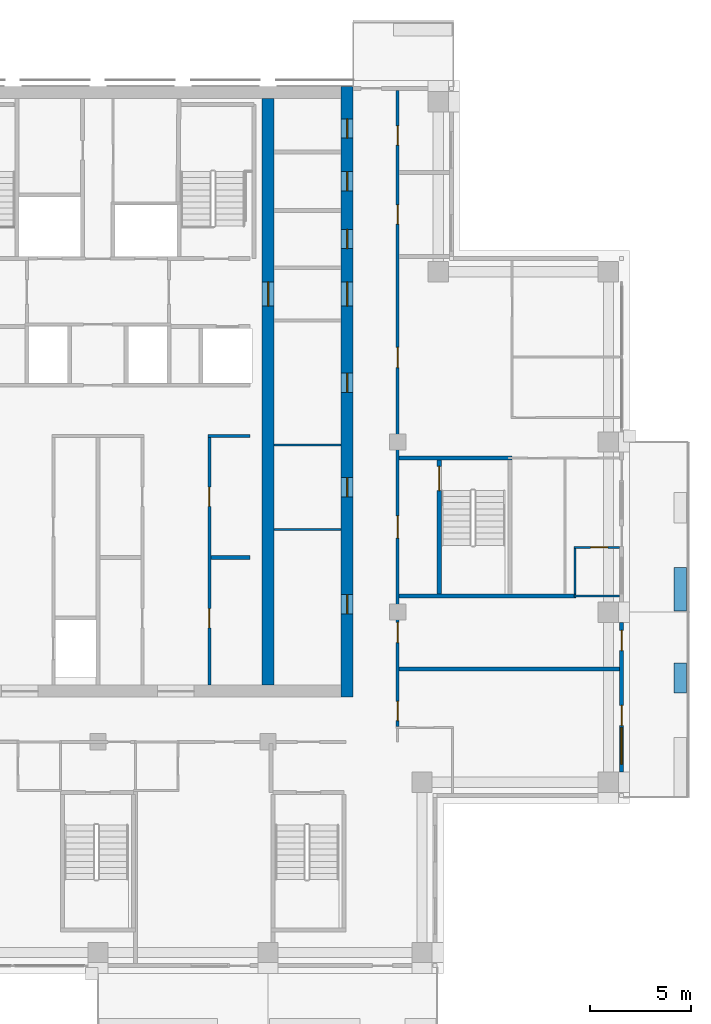
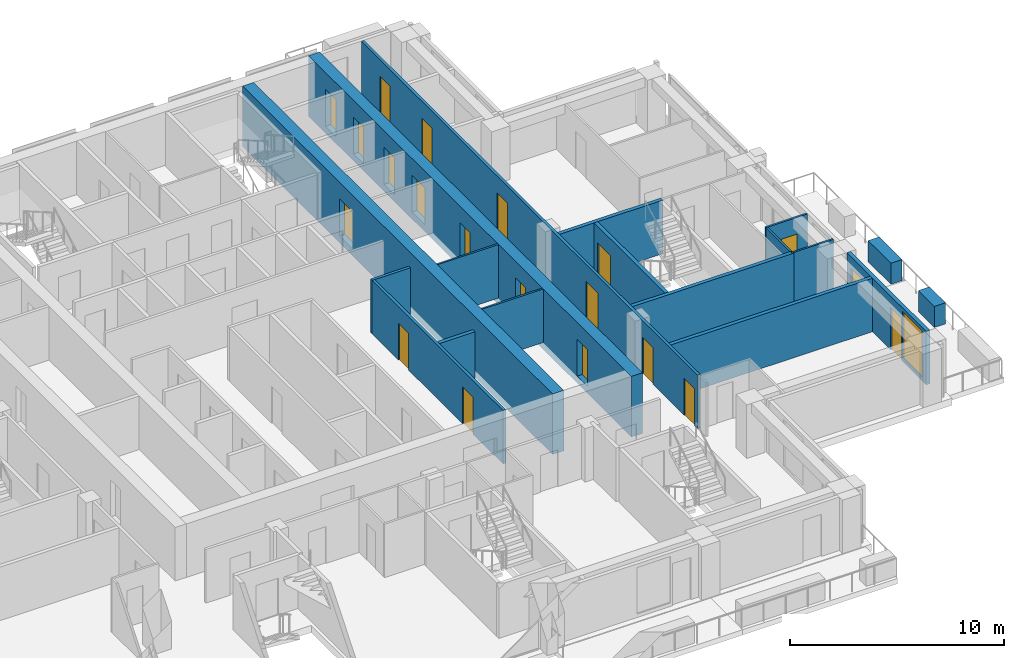
# One storey, part 11 of 17: 20 doors, 18 walls, 1 window, 21 openings.
"""IFC4 building model written with IfcOpenShell, lengths in metres."""

import ifcopenshell
import ifcopenshell.guid

model = None  # the IFC model being written
_history = None  # IfcOwnerHistory: only IFC2X3 demands one
_inside = {}  # id of a spatial element -> (the spatial element, [elements in it])
_under = {}  # id of a project, library or spatial element -> (it, [spatial elements below it])
_declared = {}  # id of a project -> (the project, [libraries it declares])
_typed = {}  # id of a type object -> (the type object, [elements of that type])
_made_of = {}  # id of a material, layer set ... -> (it, [elements and type objects made of it])


def new_model(schema):
    """Start an empty IFC model of exactly this schema.

    Asked for "IFC4X3", IfcOpenShell would pick the latest addendum, in which some entities
    have other attributes; the version numbers below select the first issue.
    IFC2X3 requires an IfcOwnerHistory on every rooted entity: one is made here for all.
    """
    global model, _history
    if schema == "IFC4X3":
        model = ifcopenshell.file(schema_version=(4, 3, 0, 0))
    else:
        model = ifcopenshell.file(schema=schema)
    _inside.clear()
    _under.clear()
    _declared.clear()
    _typed.clear()
    _made_of.clear()
    _history = None
    if model.schema == "IFC2X3":
        org = make("IfcOrganization", Name="unknown")
        user = make(
            "IfcPersonAndOrganization",
            ThePerson=make("IfcPerson", FamilyName="unknown"),
            TheOrganization=org,
        )
        app = make(
            "IfcApplication",
            ApplicationDeveloper=org,
            Version="unknown",
            ApplicationFullName="unknown",
            ApplicationIdentifier="unknown",
        )
        _history = make(
            "IfcOwnerHistory",
            OwningUser=user,
            OwningApplication=app,
            ChangeAction="ADDED",
            CreationDate=0,
        )
    return model


def make(cls, **values):
    """One entity of the class cls with the attributes given. An attribute that is None is left unset."""
    return model.create_entity(
        cls, **{name: value for name, value in values.items() if value is not None}
    )


def rooted(cls, **values):
    """An entity with a GlobalId (a new one), such as an element, a storey or a relation."""
    return make(cls, GlobalId=ifcopenshell.guid.new(), OwnerHistory=_history, **values)


def si_unit(unit_type, name, prefix=None):
    """IfcSIUnit, for example si_unit("LENGTHUNIT", "METRE", prefix="MILLI")."""
    return make("IfcSIUnit", UnitType=unit_type, Prefix=prefix, Name=name)


def assignment(units):
    """IfcUnitAssignment: the units of a project."""
    return None if units is None else make("IfcUnitAssignment", Units=units)


def point(xyz):
    """IfcCartesianPoint."""
    return None if xyz is None else make("IfcCartesianPoint", Coordinates=xyz)


def direction(xyz):
    """IfcDirection."""
    return None if xyz is None else make("IfcDirection", DirectionRatios=xyz)


def frame(location, z_axis=None, x_axis=None):
    """IfcAxis2Placement3D, a coordinate frame: its origin and axes. An axis left out is left unset."""
    return make(
        "IfcAxis2Placement3D",
        Location=point(location),
        Axis=direction(z_axis),
        RefDirection=direction(x_axis),
    )


def frame_2d(location, x_axis=None):
    """IfcAxis2Placement2D, a coordinate frame in the plane: its origin and x axis."""
    return make(
        "IfcAxis2Placement2D", Location=point(location), RefDirection=direction(x_axis)
    )


def origin():
    """The frame at (0, 0, 0) with its axes left unset."""
    return frame((0.0, 0.0, 0.0))


def place(relative_to, where):
    """IfcLocalPlacement: puts the frame where relative to a parent placement (None: the world)."""
    return make(
        "IfcLocalPlacement", PlacementRelTo=relative_to, RelativePlacement=where
    )


def context(
    kind, dimensions, precision=None, world=None, true_north=None, identifier=None
):
    """IfcGeometricRepresentationContext, for example the 3D "Model" context."""
    return make(
        "IfcGeometricRepresentationContext",
        ContextIdentifier=identifier,
        ContextType=kind,
        CoordinateSpaceDimension=dimensions,
        Precision=precision,
        WorldCoordinateSystem=world,
        TrueNorth=true_north,
    )


def subcontext(parent, identifier, kind, view, scale=None):
    """IfcGeometricRepresentationSubContext, for example "Body" below "Model"."""
    return make(
        "IfcGeometricRepresentationSubContext",
        ContextIdentifier=identifier,
        ContextType=kind,
        ParentContext=parent,
        TargetScale=scale,
        TargetView=view,
    )


def project(units=None, contexts=None):
    """IfcProject with its units and contexts."""
    return rooted(
        "IfcProject",
        Name="project",
        RepresentationContexts=contexts,
        UnitsInContext=assignment(units),
    )


def spatial(cls, under=None, at=None, **own):
    """A site, building, storey or space (cls), placed at a placement, below another one or the project."""
    s = rooted(cls, ObjectPlacement=at, **own)
    if under is not None:
        _under.setdefault(under.id(), (under, []))[1].append(s)
    return s


def profile(cls, at=None, kind="AREA", **sizes):
    """A parametric profile (cls). Its sizes go by their IFC names, for example OverallWidth=200.0."""
    return make(cls, ProfileType=kind, Position=at, **sizes)


def rectangle(**sizes):
    """IfcRectangleProfileDef."""
    return profile("IfcRectangleProfileDef", **sizes)


def extrude(swept, where, along, depth):
    """IfcExtrudedAreaSolid: the profile swept, set in the frame where, extruded along a direction by depth."""
    return make(
        "IfcExtrudedAreaSolid",
        SweptArea=swept,
        Position=where,
        ExtrudedDirection=direction(along),
        Depth=depth,
    )


def shape(context_of_items, identifier, shape_type, items):
    """IfcShapeRepresentation: the items that make up one representation, for example the "Body"."""
    return make(
        "IfcShapeRepresentation",
        ContextOfItems=context_of_items,
        RepresentationIdentifier=identifier,
        RepresentationType=shape_type,
        Items=items,
    )


def material(Name=None, Category=None):
    """IfcMaterial."""
    return make("IfcMaterial", Name=Name, Category=Category)


def layer(
    of_material, thickness, ventilated=None, Name=None, Category=None, Priority=None
):
    """IfcMaterialLayer: one layer of a wall or slab, of a material (None: an air gap)."""
    return make(
        "IfcMaterialLayer",
        Material=of_material,
        LayerThickness=thickness,
        IsVentilated=ventilated,
        Name=Name,
        Category=Category,
        Priority=Priority,
    )


def layer_set(layers, Name=None):
    """IfcMaterialLayerSet."""
    return make("IfcMaterialLayerSet", MaterialLayers=layers, LayerSetName=Name)


def made_of(thing, what):
    """Note that an element or type object is made of a material, layer set ...; save() writes the relation."""
    if what is not None:
        _made_of.setdefault(what.id(), (what, []))[1].append(thing)
    return thing


def type_object(cls, material=None, **own):
    """A type object (cls), such as IfcWallType, which elements share."""
    return made_of(rooted(cls, **own), material)


def element(
    cls,
    number,
    at=None,
    inside=None,
    cuts=None,
    type_object=None,
    material=None,
    context=None,
    identifier="Body",
    shape_type=None,
    held_by="IfcProductDefinitionShape",
    body=None,
    shapes=None,
    **own,
):
    """One element of the class cls, such as IfcWall. Its Tag is "e" and its number.

    at: its placement. inside: the storey or other place that contains it. cuts: it is an
    opening in that element (IfcRelVoidsElement). A single representation is given by context,
    identifier, shape_type and body (its items); several are given by shapes. held_by: the class
    of the entity that holds the representations. save() writes the other relations.
    """
    e = rooted(cls, Tag="e%d" % number, ObjectPlacement=at, **own)
    if body is not None:
        shapes = [shape(context, identifier, shape_type, body)]
    if shapes is not None:
        e.Representation = make(held_by, Representations=shapes)
    if inside is not None:
        _inside.setdefault(inside.id(), (inside, []))[1].append(e)
    if cuts is not None:
        rooted(
            "IfcRelVoidsElement", RelatingBuildingElement=cuts, RelatedOpeningElement=e
        )
    if type_object is not None:
        _typed.setdefault(type_object.id(), (type_object, []))[1].append(e)
    return made_of(e, material)


def fill(opening, filler):
    """IfcRelFillsElement: the door or window that sits in an opening."""
    return rooted(
        "IfcRelFillsElement",
        RelatingOpeningElement=opening,
        RelatedBuildingElement=filler,
    )


def aggregate(whole, parts):
    """IfcRelAggregates: a whole, such as a stair, and the parts it consists of."""
    return rooted("IfcRelAggregates", RelatingObject=whole, RelatedObjects=parts)


def save(model, path):
    """Write the relations noted so far, then the file.

    IfcRelAggregates (storeys below a building ...), IfcRelContainedInSpatialStructure (elements
    in a storey), IfcRelDefinesByType, IfcRelAssociatesMaterial and IfcRelDeclares: one each for
    every whole, place, type object, material and project.
    """
    for whole, parts in _under.values():
        aggregate(whole, parts)
    for where, things in _inside.values():
        rooted(
            "IfcRelContainedInSpatialStructure",
            RelatedElements=things,
            RelatingStructure=where,
        )
    for kind, things in _typed.values():
        rooted("IfcRelDefinesByType", RelatedObjects=things, RelatingType=kind)
    for what, things in _made_of.values():
        rooted("IfcRelAssociatesMaterial", RelatedObjects=things, RelatingMaterial=what)
    for by, libraries in _declared.values():
        rooted("IfcRelDeclares", RelatingContext=by, RelatedDefinitions=libraries)
    model.write(path)


model = new_model("IFC4")

# Units and contexts
model_context = context("Model", 3, precision=1e-05, world=origin(), true_north=direction((0.0, 1.0)))
body_context = subcontext(model_context, "Body", "Model", "MODEL_VIEW")
ifc_project = project(units=[si_unit("LENGTHUNIT", "METRE"), si_unit("AREAUNIT", "SQUARE_METRE"), si_unit("VOLUMEUNIT", "CUBIC_METRE"), si_unit("PLANEANGLEUNIT", "RADIAN"), si_unit("MASSUNIT", "GRAM", prefix="KILO")], contexts=[model_context])

# Site, building, storey
site_placement = place(None, origin())
site = spatial("IfcSite", under=ifc_project, at=site_placement, CompositionType="ELEMENT")
building_placement = place(site_placement, origin())
building = spatial("IfcBuilding", under=site, at=building_placement, Name="Vermilion Ogive Tower", CompositionType="ELEMENT")
storey_placement = place(building_placement, frame((0.0, 0.0, 203.14990234375)))
storey = spatial("IfcBuildingStorey", under=building, at=storey_placement, Name="L53", CompositionType="ELEMENT", Elevation=203.14990234375)

# Wall, openings, doors
ifc_material_1 = material(Name="Concrete B60", Category="concrete")
ifc_layer_1 = layer(ifc_material_1, 0.60009765625)
ifc_layer_set_1 = layer_set([ifc_layer_1], Name="Core wall 600 B60")
wall_type_1 = type_object("IfcWallType", Name="Core wall 600 B60", PredefinedType="SHEAR", material=ifc_layer_set_1)
wall_1_placement = place(storey_placement, frame((12.300048828125, -8.39990234375, -0.39990234375), z_axis=(0.0, 0.0, 1.0), x_axis=(0.0, 1.0, 0.0)))
wall_1 = element("IfcWall", 1, at=wall_1_placement, inside=storey, type_object=wall_type_1, Name="L53-CORE-E", PredefinedType="SHEAR", context=body_context, shape_type="SweptSolid", body=[
    extrude(rectangle(XDim=30.14990234375, YDim=0.60009765625, at=frame_2d((15.074951171875, 0.0))), origin(), (0.0, 0.0, 1.0), 3.449951171875),
])
opening_1_placement = place(wall_1_placement, frame((4.112548828125, 0.0, 0.39990234375)))
opening_1 = element("IfcOpeningElement", 2, at=opening_1_placement, cuts=wall_1, Name="Opening DAC083", PredefinedType="OPENING", context=body_context, shape_type="SweptSolid", body=[
    extrude(rectangle(XDim=0.949951171875, YDim=2.10009765625, at=frame_2d((0.47509765625, 1.050048828125))), frame((0.0, 0.31005859375, 0.0), z_axis=(0.0, -1.0, 0.0), x_axis=(1.0, 0.0, 0.0)), (0.0, 0.0, 1.0), 0.6201171875),
])
opening_2_placement = place(wall_1_placement, frame((9.8896484375, 0.0, 0.39990234375)))
opening_2 = element("IfcOpeningElement", 3, at=opening_2_placement, cuts=wall_1, Name="Opening DAC084", PredefinedType="OPENING", context=body_context, shape_type="SweptSolid", body=[
    extrude(rectangle(XDim=0.949951171875, YDim=2.10009765625, at=frame_2d((0.47509765625, 1.050048828125))), frame((0.0, 0.31005859375, 0.0), z_axis=(0.0, -1.0, 0.0), x_axis=(1.0, 0.0, 0.0)), (0.0, 0.0, 1.0), 0.6201171875),
])
opening_3_placement = place(wall_1_placement, frame((15.052001953125, 0.0, 0.39990234375)))
opening_3 = element("IfcOpeningElement", 4, at=opening_3_placement, cuts=wall_1, Name="Opening DAC085", PredefinedType="OPENING", context=body_context, shape_type="SweptSolid", body=[
    extrude(rectangle(XDim=0.949951171875, YDim=2.10009765625, at=frame_2d((0.47509765625, 1.050048828125))), frame((0.0, 0.31005859375, 0.0), z_axis=(0.0, -1.0, 0.0), x_axis=(1.0, 0.0, 0.0)), (0.0, 0.0, 1.0), 0.6201171875),
])
opening_4_placement = place(wall_1_placement, frame((22.1435546875, 0.0, 0.39990234375)))
opening_4 = element("IfcOpeningElement", 5, at=opening_4_placement, cuts=wall_1, Name="Opening DAC086", PredefinedType="OPENING", context=body_context, shape_type="SweptSolid", body=[
    extrude(rectangle(XDim=0.949951171875, YDim=2.10009765625, at=frame_2d((0.47509765625, 1.050048828125))), frame((0.0, 0.31005859375, 0.0), z_axis=(0.0, -1.0, 0.0), x_axis=(1.0, 0.0, 0.0)), (0.0, 0.0, 1.0), 0.6201171875),
])
opening_5_placement = place(wall_1_placement, frame((24.998291015625, 0.0, 0.39990234375)))
opening_5 = element("IfcOpeningElement", 6, at=opening_5_placement, cuts=wall_1, Name="Opening DAC087", PredefinedType="OPENING", context=body_context, shape_type="SweptSolid", body=[
    extrude(rectangle(XDim=0.949951171875, YDim=2.10009765625, at=frame_2d((0.47509765625, 1.050048828125))), frame((0.0, 0.31005859375, 0.0), z_axis=(0.0, -1.0, 0.0), x_axis=(1.0, 0.0, 0.0)), (0.0, 0.0, 1.0), 0.6201171875),
])
opening_6_placement = place(wall_1_placement, frame((27.604736328125, 0.0, 0.39990234375)))
opening_6 = element("IfcOpeningElement", 7, at=opening_6_placement, cuts=wall_1, Name="Opening DAC088", PredefinedType="OPENING", context=body_context, shape_type="SweptSolid", body=[
    extrude(rectangle(XDim=0.949951171875, YDim=2.10009765625, at=frame_2d((0.47509765625, 1.050048828125))), frame((0.0, 0.31005859375, 0.0), z_axis=(0.0, -1.0, 0.0), x_axis=(1.0, 0.0, 0.0)), (0.0, 0.0, 1.0), 0.6201171875),
])
opening_7_placement = place(wall_1_placement, frame((19.300048828125, 0.0, 0.39990234375)))
opening_7 = element("IfcOpeningElement", 8, at=opening_7_placement, cuts=wall_1, Name="Opening DAL021", PredefinedType="OPENING", context=body_context, shape_type="SweptSolid", body=[
    extrude(rectangle(XDim=1.199951171875, YDim=2.10009765625, at=frame_2d((0.60009765625, 1.050048828125))), frame((0.0, 0.31005859375, 0.0), z_axis=(0.0, -1.0, 0.0), x_axis=(1.0, 0.0, 0.0)), (0.0, 0.0, 1.0), 0.6201171875),
])
ifc_material_2 = material(Name="Timber door leaf", Category="wood")
door_type_1 = type_object("IfcDoorType", Name="Link door 1200 x 2100 FD60S", OperationType="SINGLE_SWING_LEFT", PredefinedType="DOOR", material=ifc_material_2)
door_1_placement = place(opening_7_placement, origin())
door_1 = element("IfcDoor", 9, at=door_1_placement, inside=storey, type_object=door_type_1, Name="L53-CKE-XL", OperationType="SINGLE_SWING_LEFT", OverallHeight=2.10009765625, OverallWidth=1.199951171875, PredefinedType="DOOR", context=body_context, shape_type="SweptSolid", body=[
    extrude(rectangle(XDim=1.199951171875, YDim=2.10009765625, at=frame_2d((0.60009765625, 1.050048828125))), frame((0.0, 0.02490234375, 0.0), z_axis=(0.0, -1.0, 0.0), x_axis=(1.0, 0.0, 0.0)), (0.0, 0.0, 1.0), 0.050048828125),
])
fill(opening_7, door_1)
ifc_material_3 = material(Name="Timber door leaf", Category="wood")
door_type_2 = type_object("IfcDoorType", Name="Service door 950 x 2100 FD60", OperationType="SINGLE_SWING_LEFT", PredefinedType="DOOR", material=ifc_material_3)
door_2_placement = place(opening_1_placement, origin())
door_2 = element("IfcDoor", 10, at=door_2_placement, inside=storey, type_object=door_type_2, Name="L53-CKE-XR0", OperationType="SINGLE_SWING_LEFT", OverallHeight=2.10009765625, OverallWidth=0.949951171875, PredefinedType="DOOR", context=body_context, shape_type="SweptSolid", body=[
    extrude(rectangle(XDim=0.949951171875, YDim=2.10009765625, at=frame_2d((0.47509765625, 1.050048828125))), frame((0.0, 0.02490234375, 0.0), z_axis=(0.0, -1.0, 0.0), x_axis=(1.0, 0.0, 0.0)), (0.0, 0.0, 1.0), 0.050048828125),
])
fill(opening_1, door_2)
door_3_placement = place(opening_2_placement, origin())
door_3 = element("IfcDoor", 11, at=door_3_placement, inside=storey, type_object=door_type_2, Name="L53-CKE-XR1", OperationType="SINGLE_SWING_LEFT", OverallHeight=2.10009765625, OverallWidth=0.949951171875, PredefinedType="DOOR", context=body_context, shape_type="SweptSolid", body=[
    extrude(rectangle(XDim=0.949951171875, YDim=2.10009765625, at=frame_2d((0.47509765625, 1.050048828125))), frame((0.0, 0.02490234375, 0.0), z_axis=(0.0, -1.0, 0.0), x_axis=(1.0, 0.0, 0.0)), (0.0, 0.0, 1.0), 0.050048828125),
])
fill(opening_2, door_3)
door_4_placement = place(opening_3_placement, origin())
door_4 = element("IfcDoor", 12, at=door_4_placement, inside=storey, type_object=door_type_2, Name="L53-CKE-XR2", OperationType="SINGLE_SWING_LEFT", OverallHeight=2.10009765625, OverallWidth=0.949951171875, PredefinedType="DOOR", context=body_context, shape_type="SweptSolid", body=[
    extrude(rectangle(XDim=0.949951171875, YDim=2.10009765625, at=frame_2d((0.47509765625, 1.050048828125))), frame((0.0, 0.02490234375, 0.0), z_axis=(0.0, -1.0, 0.0), x_axis=(1.0, 0.0, 0.0)), (0.0, 0.0, 1.0), 0.050048828125),
])
fill(opening_3, door_4)
door_5_placement = place(opening_4_placement, origin())
door_5 = element("IfcDoor", 13, at=door_5_placement, inside=storey, type_object=door_type_2, Name="L53-CKE-XR3", OperationType="SINGLE_SWING_LEFT", OverallHeight=2.10009765625, OverallWidth=0.949951171875, PredefinedType="DOOR", context=body_context, shape_type="SweptSolid", body=[
    extrude(rectangle(XDim=0.949951171875, YDim=2.10009765625, at=frame_2d((0.47509765625, 1.050048828125))), frame((0.0, 0.02490234375, 0.0), z_axis=(0.0, -1.0, 0.0), x_axis=(1.0, 0.0, 0.0)), (0.0, 0.0, 1.0), 0.050048828125),
])
fill(opening_4, door_5)
door_6_placement = place(opening_5_placement, origin())
door_6 = element("IfcDoor", 14, at=door_6_placement, inside=storey, type_object=door_type_2, Name="L53-CKE-XR4", OperationType="SINGLE_SWING_LEFT", OverallHeight=2.10009765625, OverallWidth=0.949951171875, PredefinedType="DOOR", context=body_context, shape_type="SweptSolid", body=[
    extrude(rectangle(XDim=0.949951171875, YDim=2.10009765625, at=frame_2d((0.47509765625, 1.050048828125))), frame((0.0, 0.02490234375, 0.0), z_axis=(0.0, -1.0, 0.0), x_axis=(1.0, 0.0, 0.0)), (0.0, 0.0, 1.0), 0.050048828125),
])
fill(opening_5, door_6)
door_7_placement = place(opening_6_placement, origin())
door_7 = element("IfcDoor", 15, at=door_7_placement, inside=storey, type_object=door_type_2, Name="L53-CKE-XR5", OperationType="SINGLE_SWING_LEFT", OverallHeight=2.10009765625, OverallWidth=0.949951171875, PredefinedType="DOOR", context=body_context, shape_type="SweptSolid", body=[
    extrude(rectangle(XDim=0.949951171875, YDim=2.10009765625, at=frame_2d((0.47509765625, 1.050048828125))), frame((0.0, 0.02490234375, 0.0), z_axis=(0.0, -1.0, 0.0), x_axis=(1.0, 0.0, 0.0)), (0.0, 0.0, 1.0), 0.050048828125),
])
fill(opening_6, door_7)

# Wall, opening, door
wall_2_placement = place(storey_placement, frame((8.39990234375, -7.800048828125, -0.39990234375), z_axis=(0.0, 0.0, 1.0), x_axis=(0.0, 1.0, 0.0)))
wall_2 = element("IfcWall", 16, at=wall_2_placement, inside=storey, type_object=wall_type_1, Name="L53-CORE-WEB2", PredefinedType="SHEAR", context=body_context, shape_type="SweptSolid", body=[
    extrude(rectangle(XDim=28.949951171875, YDim=0.60009765625, at=frame_2d((14.47509765625, 0.0))), origin(), (0.0, 0.0, 1.0), 3.449951171875),
])
opening_8_placement = place(wall_2_placement, frame((18.699951171875, 0.0, 0.39990234375)))
opening_8 = element("IfcOpeningElement", 17, at=opening_8_placement, cuts=wall_2, Name="Opening DAO016", PredefinedType="OPENING", context=body_context, shape_type="SweptSolid", body=[
    extrude(rectangle(XDim=1.199951171875, YDim=2.10009765625, at=frame_2d((0.60009765625, 1.050048828125))), frame((0.0, 0.31005859375, 0.0), z_axis=(0.0, -1.0, 0.0), x_axis=(1.0, 0.0, 0.0)), (0.0, 0.0, 1.0), 0.6201171875),
])
door_8_placement = place(opening_8_placement, origin())
door_8 = element("IfcDoor", 18, at=door_8_placement, inside=storey, type_object=door_type_1, Name="L53-CKE-XW", OperationType="SINGLE_SWING_LEFT", OverallHeight=2.10009765625, OverallWidth=1.199951171875, PredefinedType="DOOR", context=body_context, shape_type="SweptSolid", body=[
    extrude(rectangle(XDim=1.199951171875, YDim=2.10009765625, at=frame_2d((0.60009765625, 1.050048828125))), frame((0.0, 0.02490234375, 0.0), z_axis=(0.0, -1.0, 0.0), x_axis=(1.0, 0.0, 0.0)), (0.0, 0.0, 1.0), 0.050048828125),
])
fill(opening_8, door_8)

# Wall
ifc_material_4 = material(Name="Gypsum board partition on steel studs", Category="steel")
ifc_layer_2 = layer(ifc_material_4, 0.10009765625)
ifc_layer_set_2 = layer_set([ifc_layer_2], Name="Partition 100 bath")
wall_type_2 = type_object("IfcWallType", Name="Partition 100 bath", PredefinedType="PARTITIONING", material=ifc_layer_set_2)
wall_3_placement = place(storey_placement, frame((23.5, -3.39990234375, 0.0), z_axis=(0.0, 0.0, 1.0), x_axis=(1.0, 0.0, 0.0)))
element("IfcWall", 19, at=wall_3_placement, inside=storey, type_object=wall_type_2, Name="L53-W-W020", PredefinedType="PARTITIONING", context=body_context, shape_type="SweptSolid", body=[
    extrude(rectangle(XDim=2.25, YDim=0.10009765625, at=frame_2d((1.125, 0.0))), origin(), (0.0, 0.0, 1.0), 3.050048828125),
])

# Wall, opening, door
wall_4_placement = place(storey_placement, frame((23.5, -1.0, 0.0), z_axis=(0.0, 0.0, 1.0), x_axis=(1.0, 0.0, 0.0)))
wall_4 = element("IfcWall", 20, at=wall_4_placement, inside=storey, type_object=wall_type_2, Name="L53-W-W022", PredefinedType="PARTITIONING", context=body_context, shape_type="SweptSolid", body=[
    extrude(rectangle(XDim=2.25, YDim=0.10009765625, at=frame_2d((1.125, 0.0))), origin(), (0.0, 0.0, 1.0), 3.050048828125),
])
opening_9_placement = place(wall_4_placement, frame((0.824951171875, 0.0, 0.0)))
opening_9 = element("IfcOpeningElement", 21, at=opening_9_placement, cuts=wall_4, Name="Opening D4G4022", PredefinedType="OPENING", context=body_context, shape_type="SweptSolid", body=[
    extrude(rectangle(XDim=0.85009765625, YDim=2.10009765625, at=frame_2d((0.425048828125, 1.050048828125))), frame((0.0, 0.06005859375, 0.0), z_axis=(0.0, -1.0, 0.0), x_axis=(1.0, 0.0, 0.0)), (0.0, 0.0, 1.0), 0.1201171875),
])
ifc_material_5 = material(Name="Timber door leaf", Category="wood")
door_type_3 = type_object("IfcDoorType", Name="Bath door 850 x 2100 FD30", OperationType="SINGLE_SWING_LEFT", PredefinedType="DOOR", material=ifc_material_5)
door_9_placement = place(opening_9_placement, origin())
door_9 = element("IfcDoor", 22, at=door_9_placement, inside=storey, type_object=door_type_3, Name="L53-D-D022", OperationType="SINGLE_SWING_RIGHT", OverallHeight=2.10009765625, OverallWidth=0.85009765625, PredefinedType="DOOR", context=body_context, shape_type="SweptSolid", body=[
    extrude(rectangle(XDim=0.85009765625, YDim=2.10009765625, at=frame_2d((0.425048828125, 1.050048828125))), frame((0.0, 0.02490234375, 0.0), z_axis=(0.0, -1.0, 0.0), x_axis=(1.0, 0.0, 0.0)), (0.0, 0.0, 1.0), 0.050048828125),
])
fill(opening_9, door_9)

# Walls
wall_5_placement = place(storey_placement, frame((23.550048828125, -3.300048828125, 0.0), z_axis=(0.0, 0.0, 1.0), x_axis=(0.0, 1.0, 0.0)))
element("IfcWall", 23, at=wall_5_placement, inside=storey, type_object=wall_type_2, Name="L53-W-W062", PredefinedType="PARTITIONING", context=body_context, shape_type="SweptSolid", body=[
    extrude(rectangle(XDim=2.25, YDim=0.10009765625, at=frame_2d((1.125, 0.0))), origin(), (0.0, 0.0, 1.0), 3.050048828125),
])
for number, where, z_axis, x_axis, name in (
    (24, (8.700927734375, -0.125, 0.0), (0.0, 0.0, 1.0), (1.0, 0.0, 0.0), "L53-CKE-W-W001"),
    (25, (8.700927734375, 4.053955078125, 0.0), (0.0, 0.0, 1.0), (1.0, 0.0, 0.0), "L53-CKE-W-W002"),
):
    element("IfcWall", number, at=place(storey_placement, frame(where, z_axis=z_axis, x_axis=x_axis)), inside=storey, type_object=wall_type_2, Name=name, PredefinedType="PARTITIONING", context=body_context, shape_type="SweptSolid", body=[
        extrude(rectangle(XDim=3.298095703125, YDim=0.10009765625, at=frame_2d((1.64892578125, 0.0))), origin(), (0.0, 0.0, 1.0), 3.050048828125),
    ])

# Wall, openings, doors
ifc_material_6 = material(Name="Gypsum board partition on steel studs", Category="steel")
ifc_layer_3 = layer(ifc_material_6, 0.14990234375)
ifc_layer_set_3 = layer_set([ifc_layer_3], Name="Partition 150 corridor")
wall_type_3 = type_object("IfcWallType", Name="Partition 150 corridor", PredefinedType="PARTITIONING", material=ifc_layer_set_3)
wall_6_placement = place(storey_placement, frame((14.800048828125, -9.85009765625, 0.0), z_axis=(0.0, 0.0, 1.0), x_axis=(0.0, 1.0, 0.0)))
wall_6 = element("IfcWall", 26, at=wall_6_placement, inside=storey, type_object=wall_type_3, Name="L53-W-W056", PredefinedType="PARTITIONING", context=body_context, shape_type="SweptSolid", body=[
    extrude(rectangle(XDim=31.400146484375, YDim=0.14990234375, at=frame_2d((15.7001953125, 0.0))), origin(), (0.0, 0.0, 1.0), 3.050048828125),
])
opening_10_placement = place(wall_6_placement, frame((0.300048828125, 0.0, 0.0)))
opening_10 = element("IfcOpeningElement", 27, at=opening_10_placement, cuts=wall_6, Name="Opening D4G4015", PredefinedType="OPENING", context=body_context, shape_type="SweptSolid", body=[
    extrude(rectangle(XDim=0.949951171875, YDim=2.10009765625, at=frame_2d((0.47509765625, 1.050048828125))), frame((0.0, 0.0849609375, 0.0), z_axis=(0.0, -1.0, 0.0), x_axis=(1.0, 0.0, 0.0)), (0.0, 0.0, 1.0), 0.169921875),
])
opening_11_placement = place(wall_6_placement, frame((17.72509765625, 0.0, 0.0)))
opening_11 = element("IfcOpeningElement", 28, at=opening_11_placement, cuts=wall_6, Name="Opening D4G4020", PredefinedType="OPENING", context=body_context, shape_type="SweptSolid", body=[
    extrude(rectangle(XDim=1.0, YDim=2.10009765625, at=frame_2d((0.5, 1.050048828125))), frame((0.0, 0.0849609375, 0.0), z_axis=(0.0, -1.0, 0.0), x_axis=(1.0, 0.0, 0.0)), (0.0, 0.0, 1.0), 0.169921875),
])
opening_12_placement = place(wall_6_placement, frame((24.800048828125, 0.0, 0.0)))
opening_12 = element("IfcOpeningElement", 29, at=opening_12_placement, cuts=wall_6, Name="Opening D4G4023", PredefinedType="OPENING", context=body_context, shape_type="SweptSolid", body=[
    extrude(rectangle(XDim=0.949951171875, YDim=2.10009765625, at=frame_2d((0.47509765625, 1.050048828125))), frame((0.0, 0.0849609375, 0.0), z_axis=(0.0, -1.0, 0.0), x_axis=(1.0, 0.0, 0.0)), (0.0, 0.0, 1.0), 0.169921875),
])
opening_13_placement = place(wall_6_placement, frame((28.7001953125, 0.0, 0.0)))
opening_13 = element("IfcOpeningElement", 30, at=opening_13_placement, cuts=wall_6, Name="Opening D4G4024", PredefinedType="OPENING", context=body_context, shape_type="SweptSolid", body=[
    extrude(rectangle(XDim=0.949951171875, YDim=2.10009765625, at=frame_2d((0.47509765625, 1.050048828125))), frame((0.0, 0.0849609375, 0.0), z_axis=(0.0, -1.0, 0.0), x_axis=(1.0, 0.0, 0.0)), (0.0, 0.0, 1.0), 0.169921875),
])
opening_14_placement = place(wall_6_placement, frame((9.300048828125, 0.0, 0.0)))
opening_14 = element("IfcOpeningElement", 31, at=opening_14_placement, cuts=wall_6, Name="Opening D4G4031", PredefinedType="OPENING", context=body_context, shape_type="SweptSolid", body=[
    extrude(rectangle(XDim=1.10009765625, YDim=2.10009765625, at=frame_2d((0.550048828125, 1.050048828125))), frame((0.0, 0.0849609375, 0.0), z_axis=(0.0, -1.0, 0.0), x_axis=(1.0, 0.0, 0.0)), (0.0, 0.0, 1.0), 0.169921875),
])
opening_15_placement = place(wall_6_placement, frame((4.150146484375, 0.0, 0.0)))
opening_15 = element("IfcOpeningElement", 32, at=opening_15_placement, cuts=wall_6, Name="Opening D4G4036", PredefinedType="OPENING", context=body_context, shape_type="SweptSolid", body=[
    extrude(rectangle(XDim=1.0, YDim=2.10009765625, at=frame_2d((0.5, 1.050048828125))), frame((0.0, 0.0849609375, 0.0), z_axis=(0.0, -1.0, 0.0), x_axis=(1.0, 0.0, 0.0)), (0.0, 0.0, 1.0), 0.169921875),
])
ifc_material_7 = material(Name="Timber door leaf", Category="wood")
door_type_4 = type_object("IfcDoorType", Name="Stair door 1100 x 2100 FD60S", OperationType="SINGLE_SWING_LEFT", PredefinedType="DOOR", material=ifc_material_7)
door_10_placement = place(opening_14_placement, origin())
door_10 = element("IfcDoor", 33, at=door_10_placement, inside=storey, type_object=door_type_4, Name="L53-D-D031", OperationType="SINGLE_SWING_LEFT", OverallHeight=2.10009765625, OverallWidth=1.10009765625, PredefinedType="DOOR", context=body_context, shape_type="SweptSolid", body=[
    extrude(rectangle(XDim=1.10009765625, YDim=2.10009765625, at=frame_2d((0.550048828125, 1.050048828125))), frame((0.0, 0.02490234375, 0.0), z_axis=(0.0, -1.0, 0.0), x_axis=(1.0, 0.0, 0.0)), (0.0, 0.0, 1.0), 0.050048828125),
])
fill(opening_14, door_10)
ifc_material_8 = material(Name="Timber door leaf", Category="wood")
door_type_5 = type_object("IfcDoorType", Name="Unit door 1000 x 2100 FD30S", OperationType="SINGLE_SWING_LEFT", PredefinedType="DOOR", material=ifc_material_8)
door_11_placement = place(opening_11_placement, origin())
door_11 = element("IfcDoor", 34, at=door_11_placement, inside=storey, type_object=door_type_5, Name="L53-D-D020", OperationType="SINGLE_SWING_LEFT", OverallHeight=2.10009765625, OverallWidth=1.0, PredefinedType="DOOR", context=body_context, shape_type="SweptSolid", body=[
    extrude(rectangle(XDim=1.0, YDim=2.10009765625, at=frame_2d((0.5, 1.050048828125))), frame((0.0, 0.02490234375, 0.0), z_axis=(0.0, -1.0, 0.0), x_axis=(1.0, 0.0, 0.0)), (0.0, 0.0, 1.0), 0.050048828125),
])
fill(opening_11, door_11)
door_12_placement = place(opening_15_placement, origin())
door_12 = element("IfcDoor", 35, at=door_12_placement, inside=storey, type_object=door_type_5, Name="L53-D-D036", OperationType="SINGLE_SWING_RIGHT", OverallHeight=2.10009765625, OverallWidth=1.0, PredefinedType="DOOR", context=body_context, shape_type="SweptSolid", body=[
    extrude(rectangle(XDim=1.0, YDim=2.10009765625, at=frame_2d((0.5, 1.050048828125))), frame((0.0, 0.02490234375, 0.0), z_axis=(0.0, -1.0, 0.0), x_axis=(1.0, 0.0, 0.0)), (0.0, 0.0, 1.0), 0.050048828125),
])
fill(opening_15, door_12)
ifc_material_9 = material(Name="Timber door leaf", Category="wood")
door_type_6 = type_object("IfcDoorType", Name="Unit door 950 x 2100 FD30S", OperationType="SINGLE_SWING_LEFT", PredefinedType="DOOR", material=ifc_material_9)
door_13_placement = place(opening_10_placement, origin())
door_13 = element("IfcDoor", 36, at=door_13_placement, inside=storey, type_object=door_type_6, Name="L53-D-D015", OperationType="SINGLE_SWING_RIGHT", OverallHeight=2.10009765625, OverallWidth=0.949951171875, PredefinedType="DOOR", context=body_context, shape_type="SweptSolid", body=[
    extrude(rectangle(XDim=0.949951171875, YDim=2.10009765625, at=frame_2d((0.47509765625, 1.050048828125))), frame((0.0, 0.02490234375, 0.0), z_axis=(0.0, -1.0, 0.0), x_axis=(1.0, 0.0, 0.0)), (0.0, 0.0, 1.0), 0.050048828125),
])
fill(opening_10, door_13)
door_14_placement = place(opening_12_placement, origin())
door_14 = element("IfcDoor", 37, at=door_14_placement, inside=storey, type_object=door_type_6, Name="L53-D-D023", OperationType="SINGLE_SWING_RIGHT", OverallHeight=2.10009765625, OverallWidth=0.949951171875, PredefinedType="DOOR", context=body_context, shape_type="SweptSolid", body=[
    extrude(rectangle(XDim=0.949951171875, YDim=2.10009765625, at=frame_2d((0.47509765625, 1.050048828125))), frame((0.0, 0.02490234375, 0.0), z_axis=(0.0, -1.0, 0.0), x_axis=(1.0, 0.0, 0.0)), (0.0, 0.0, 1.0), 0.050048828125),
])
fill(opening_12, door_14)
door_15_placement = place(opening_13_placement, origin())
door_15 = element("IfcDoor", 38, at=door_15_placement, inside=storey, type_object=door_type_6, Name="L53-D-D024", OperationType="SINGLE_SWING_RIGHT", OverallHeight=2.10009765625, OverallWidth=0.949951171875, PredefinedType="DOOR", context=body_context, shape_type="SweptSolid", body=[
    extrude(rectangle(XDim=0.949951171875, YDim=2.10009765625, at=frame_2d((0.47509765625, 1.050048828125))), frame((0.0, 0.02490234375, 0.0), z_axis=(0.0, -1.0, 0.0), x_axis=(1.0, 0.0, 0.0)), (0.0, 0.0, 1.0), 0.050048828125),
])
fill(opening_13, door_15)

# Wall
wall_7_placement = place(storey_placement, frame((5.425048828125, 4.5, 0.0), z_axis=(0.0, 0.0, 1.0), x_axis=(1.0, 0.0, 0.0)))
element("IfcWall", 39, at=wall_7_placement, inside=storey, type_object=wall_type_3, Name="L53-CK-W-W009", PredefinedType="PARTITIONING", context=body_context, shape_type="SweptSolid", body=[
    extrude(rectangle(XDim=2.074951171875, YDim=0.14990234375, at=frame_2d((1.03759765625, 0.0))), origin(), (0.0, 0.0, 1.0), 3.050048828125),
])

# Wall, openings, doors
wall_8_placement = place(storey_placement, frame((5.5, -7.799072265625, 0.0), z_axis=(0.0, 0.0, 1.0), x_axis=(0.0, 1.0, 0.0)))
wall_8 = element("IfcWall", 40, at=wall_8_placement, inside=storey, type_object=wall_type_3, Name="L53-CK-W-W037", PredefinedType="PARTITIONING", context=body_context, shape_type="SweptSolid", body=[
    extrude(rectangle(XDim=12.22412109375, YDim=0.14990234375, at=frame_2d((6.112060546875, 0.0))), origin(), (0.0, 0.0, 1.0), 3.050048828125),
])
opening_16_placement = place(wall_8_placement, frame((2.823974609375, 0.0, 0.0)))
opening_16 = element("IfcOpeningElement", 41, at=opening_16_placement, cuts=wall_8, Name="Opening DAA475", PredefinedType="OPENING", context=body_context, shape_type="SweptSolid", body=[
    extrude(rectangle(XDim=0.949951171875, YDim=2.10009765625, at=frame_2d((0.47509765625, 1.050048828125))), frame((0.0, 0.0849609375, 0.0), z_axis=(0.0, -1.0, 0.0), x_axis=(1.0, 0.0, 0.0)), (0.0, 0.0, 1.0), 0.169921875),
])
opening_17_placement = place(wall_8_placement, frame((8.823974609375, 0.0, 0.0)))
opening_17 = element("IfcOpeningElement", 42, at=opening_17_placement, cuts=wall_8, Name="Opening DAA476", PredefinedType="OPENING", context=body_context, shape_type="SweptSolid", body=[
    extrude(rectangle(XDim=0.949951171875, YDim=2.10009765625, at=frame_2d((0.47509765625, 1.050048828125))), frame((0.0, 0.0849609375, 0.0), z_axis=(0.0, -1.0, 0.0), x_axis=(1.0, 0.0, 0.0)), (0.0, 0.0, 1.0), 0.169921875),
])
door_16_placement = place(opening_16_placement, origin())
door_16 = element("IfcDoor", 43, at=door_16_placement, inside=storey, type_object=door_type_2, Name="L53-CK-D-D009", OperationType="SINGLE_SWING_LEFT", OverallHeight=2.10009765625, OverallWidth=0.949951171875, PredefinedType="DOOR", context=body_context, shape_type="SweptSolid", body=[
    extrude(rectangle(XDim=0.949951171875, YDim=2.10009765625, at=frame_2d((0.47509765625, 1.050048828125))), frame((0.0, 0.02490234375, 0.0), z_axis=(0.0, -1.0, 0.0), x_axis=(1.0, 0.0, 0.0)), (0.0, 0.0, 1.0), 0.050048828125),
])
fill(opening_16, door_16)
door_17_placement = place(opening_17_placement, origin())
door_17 = element("IfcDoor", 44, at=door_17_placement, inside=storey, type_object=door_type_2, Name="L53-CK-D-D010", OperationType="SINGLE_SWING_LEFT", OverallHeight=2.10009765625, OverallWidth=0.949951171875, PredefinedType="DOOR", context=body_context, shape_type="SweptSolid", body=[
    extrude(rectangle(XDim=0.949951171875, YDim=2.10009765625, at=frame_2d((0.47509765625, 1.050048828125))), frame((0.0, 0.02490234375, 0.0), z_axis=(0.0, -1.0, 0.0), x_axis=(1.0, 0.0, 0.0)), (0.0, 0.0, 1.0), 0.050048828125),
])
fill(opening_17, door_17)

# Walls
ifc_material_10 = material(Name="Gypsum board partition on steel studs", Category="steel")
ifc_layer_4 = layer(ifc_material_10, 0.199951171875)
ifc_layer_set_4 = layer_set([ifc_layer_4], Name="Partition 200 party")
wall_type_4 = type_object("IfcWallType", Name="Partition 200 party", PredefinedType="PARTITIONING", material=ifc_layer_set_4)
wall_9_placement = place(storey_placement, frame((14.875, -7.0, 0.0), z_axis=(0.0, 0.0, 1.0), x_axis=(1.0, 0.0, 0.0)))
element("IfcWall", 45, at=wall_9_placement, inside=storey, type_object=wall_type_4, Name="L53-W-W015", PredefinedType="PARTITIONING", context=body_context, shape_type="SweptSolid", body=[
    extrude(rectangle(XDim=10.875, YDim=0.199951171875, at=frame_2d((5.4375, 0.0))), origin(), (0.0, 0.0, 1.0), 3.050048828125),
])
wall_10_placement = place(storey_placement, frame((5.574951171875, -1.5, 0.0), z_axis=(0.0, 0.0, 1.0), x_axis=(1.0, 0.0, 0.0)))
element("IfcWall", 46, at=wall_10_placement, inside=storey, type_object=wall_type_4, Name="L53-CK-W-W005", PredefinedType="PARTITIONING", context=body_context, shape_type="SweptSolid", body=[
    extrude(rectangle(XDim=1.925048828125, YDim=0.199951171875, at=frame_2d((0.96240234375, 0.0))), origin(), (0.0, 0.0, 1.0), 3.050048828125),
])
ifc_material_11 = material(Name="Concrete B60", Category="concrete")
ifc_layer_5 = layer(ifc_material_11, 0.199951171875)
ifc_layer_set_5 = layer_set([ifc_layer_5], Name="Stair shaft wall 200 Concrete B60")
wall_type_5 = type_object("IfcWallType", Name="Stair shaft wall 200 Concrete B60", PredefinedType="SOLIDWALL", material=ifc_layer_set_5)
wall_11_placement = place(storey_placement, frame((14.875, -3.39990234375, 0.0), z_axis=(0.0, 0.0, 1.0), x_axis=(1.0, 0.0, 0.0)))
element("IfcWall", 47, at=wall_11_placement, inside=storey, type_object=wall_type_5, Name="L53-W-W019", PredefinedType="SOLIDWALL", context=body_context, shape_type="SweptSolid", body=[
    extrude(rectangle(XDim=8.72509765625, YDim=0.199951171875, at=frame_2d((4.362548828125, 0.0))), origin(), (0.0, 0.0, 1.0), 3.050048828125),
])
wall_12_placement = place(storey_placement, frame((14.875, 3.39990234375, 0.0), z_axis=(0.0, 0.0, 1.0), x_axis=(1.0, 0.0, 0.0)))
element("IfcWall", 48, at=wall_12_placement, inside=storey, type_object=wall_type_5, Name="L53-W-W025", PredefinedType="SOLIDWALL", context=body_context, shape_type="SweptSolid", body=[
    extrude(rectangle(XDim=5.574951171875, YDim=0.199951171875, at=frame_2d((2.78759765625, 0.0))), origin(), (0.0, 0.0, 1.0), 3.050048828125),
])

# Wall, opening, door
wall_13_placement = place(storey_placement, frame((16.85009765625, -3.300048828125, 0.0), z_axis=(0.0, 0.0, 1.0), x_axis=(0.0, 1.0, 0.0)))
wall_13 = element("IfcWall", 49, at=wall_13_placement, inside=storey, type_object=wall_type_5, Name="L53-W-W057", PredefinedType="SOLIDWALL", context=body_context, shape_type="SweptSolid", body=[
    extrude(rectangle(XDim=6.60009765625, YDim=0.199951171875, at=frame_2d((3.300048828125, 0.0))), origin(), (0.0, 0.0, 1.0), 3.050048828125),
])
opening_18_placement = place(wall_13_placement, frame((5.10009765625, 0.0, 0.0)))
opening_18 = element("IfcOpeningElement", 50, at=opening_18_placement, cuts=wall_13, Name="Opening D4G4032", PredefinedType="OPENING", context=body_context, shape_type="SweptSolid", body=[
    extrude(rectangle(XDim=1.199951171875, YDim=2.10009765625, at=frame_2d((0.60009765625, 1.050048828125))), frame((0.0, 0.10986328125, 0.0), z_axis=(0.0, -1.0, 0.0), x_axis=(1.0, 0.0, 0.0)), (0.0, 0.0, 1.0), 0.219970703125),
])
ifc_material_12 = material(Name="Timber door leaf", Category="wood")
door_type_7 = type_object("IfcDoorType", Name="Stair door 1200 x 2100 FD60S", OperationType="SINGLE_SWING_LEFT", PredefinedType="DOOR", material=ifc_material_12)
door_18_placement = place(opening_18_placement, origin())
door_18 = element("IfcDoor", 51, at=door_18_placement, inside=storey, type_object=door_type_7, Name="L53-D-D032", OperationType="SINGLE_SWING_LEFT", OverallHeight=2.10009765625, OverallWidth=1.199951171875, PredefinedType="DOOR", context=body_context, shape_type="SweptSolid", body=[
    extrude(rectangle(XDim=1.199951171875, YDim=2.10009765625, at=frame_2d((0.60009765625, 1.050048828125))), frame((0.0, 0.02490234375, 0.0), z_axis=(0.0, -1.0, 0.0), x_axis=(1.0, 0.0, 0.0)), (0.0, 0.0, 1.0), 0.050048828125),
])
fill(opening_18, door_18)

# Walls
ifc_material_13 = material(Name="Concrete B40", Category="concrete")
ifc_layer_6 = layer(ifc_material_13, 0.60009765625)
ifc_layer_set_6 = layer_set([ifc_layer_6], Name="Structural planter")
wall_type_6 = type_object("IfcWallType", Name="Structural planter", PredefinedType="USERDEFINED", material=ifc_layer_set_6)
wall_14_placement = place(storey_placement, frame((28.75, -8.199951171875, -0.039794921875), z_axis=(0.0, 0.0, 1.0), x_axis=(0.0, 1.0, 0.0)))
element("IfcWall", 52, at=wall_14_placement, inside=storey, type_object=wall_type_6, Name="Planter E01A2", ObjectType="PLANTER", PredefinedType="USERDEFINED", context=body_context, shape_type="SweptSolid", body=[
    extrude(rectangle(XDim=1.5, YDim=0.60009765625, at=frame_2d((0.75, 0.0))), origin(), (0.0, 0.0, 1.0), 1.199951171875),
])
wall_15_placement = place(storey_placement, frame((28.75, -4.139892578125, -0.039794921875), z_axis=(0.0, 0.0, 1.0), x_axis=(0.0, 1.0, 0.0)))
element("IfcWall", 53, at=wall_15_placement, inside=storey, type_object=wall_type_6, Name="Planter E02A1", ObjectType="PLANTER", PredefinedType="USERDEFINED", context=body_context, shape_type="SweptSolid", body=[
    extrude(rectangle(XDim=2.139892578125, YDim=0.60009765625, at=frame_2d((1.06982421875, 0.0))), origin(), (0.0, 0.0, 1.0), 1.199951171875),
])

# Wall, openings, doors, window
ifc_material_14 = material(Name="Aluminium window wall framing", Category="aluminium")
ifc_layer_7 = layer(ifc_material_14, 0.199951171875)
ifc_layer_set_7 = layer_set([ifc_layer_7], Name="Window wall")
wall_type_7 = type_object("IfcWallType", Name="Window wall", PredefinedType="STANDARD", material=ifc_layer_set_7)
wall_16_placement = place(storey_placement, frame((25.85009765625, -12.10009765625, 0.0), z_axis=(0.0, 0.0, 1.0), x_axis=(0.0, 1.0, 0.0)))
wall_16 = element("IfcWall", 54, at=wall_16_placement, inside=storey, type_object=wall_type_7, Name="Window wall E1", PredefinedType="STANDARD", context=body_context, shape_type="SweptSolid", body=[
    extrude(rectangle(XDim=7.400146484375, YDim=0.199951171875, at=frame_2d((3.7001953125, 0.0))), origin(), (0.0, 0.0, 1.0), 3.050048828125),
])
opening_19_placement = place(wall_16_placement, frame((0.39990234375, 0.0, 0.199951171875)))
opening_19 = element("IfcOpeningElement", 55, at=opening_19_placement, cuts=wall_16, Name="Opening W1-E97", PredefinedType="OPENING", context=body_context, shape_type="SweptSolid", body=[
    extrude(rectangle(XDim=1.800048828125, YDim=2.64990234375, at=frame_2d((0.89990234375, 1.324951171875))), frame((0.0, 0.10986328125, 0.0), z_axis=(0.0, -1.0, 0.0), x_axis=(1.0, 0.0, 0.0)), (0.0, 0.0, 1.0), 0.219970703125),
])
opening_20_placement = place(wall_16_placement, frame((2.300048828125, 0.0, 0.0)))
opening_20 = element("IfcOpeningElement", 56, at=opening_20_placement, cuts=wall_16, Name="Opening D1-E97", PredefinedType="OPENING", context=body_context, shape_type="SweptSolid", body=[
    extrude(rectangle(XDim=1.0, YDim=2.39990234375, at=frame_2d((0.5, 1.199951171875))), frame((0.0, 0.10986328125, 0.0), z_axis=(0.0, -1.0, 0.0), x_axis=(1.0, 0.0, 0.0)), (0.0, 0.0, 1.0), 0.219970703125),
])
opening_21_placement = place(wall_16_placement, frame((6.0, 0.0, 0.0)))
opening_21 = element("IfcOpeningElement", 57, at=opening_21_placement, cuts=wall_16, Name="Opening D1-E98", PredefinedType="OPENING", context=body_context, shape_type="SweptSolid", body=[
    extrude(rectangle(XDim=1.0, YDim=2.39990234375, at=frame_2d((0.5, 1.199951171875))), frame((0.0, 0.10986328125, 0.0), z_axis=(0.0, -1.0, 0.0), x_axis=(1.0, 0.0, 0.0)), (0.0, 0.0, 1.0), 0.219970703125),
])
ifc_material_15 = material(Name="Aluminium framed glazed door", Category="aluminium")
door_type_8 = type_object("IfcDoorType", Name="Balcony door D1", OperationType="SINGLE_SWING_LEFT", PredefinedType="DOOR", material=ifc_material_15)
door_19_placement = place(opening_20_placement, origin())
door_19 = element("IfcDoor", 58, at=door_19_placement, inside=storey, type_object=door_type_8, Name="Balcony door E97", OperationType="SINGLE_SWING_LEFT", OverallHeight=2.39990234375, OverallWidth=1.0, PredefinedType="DOOR", context=body_context, shape_type="SweptSolid", body=[
    extrude(rectangle(XDim=1.0, YDim=2.39990234375, at=frame_2d((0.5, 1.199951171875))), frame((0.0, 0.02490234375, 0.0), z_axis=(0.0, -1.0, 0.0), x_axis=(1.0, 0.0, 0.0)), (0.0, 0.0, 1.0), 0.050048828125),
])
fill(opening_20, door_19)
door_20_placement = place(opening_21_placement, origin())
door_20 = element("IfcDoor", 59, at=door_20_placement, inside=storey, type_object=door_type_8, Name="Balcony door E98", OperationType="SINGLE_SWING_LEFT", OverallHeight=2.39990234375, OverallWidth=1.0, PredefinedType="DOOR", context=body_context, shape_type="SweptSolid", body=[
    extrude(rectangle(XDim=1.0, YDim=2.39990234375, at=frame_2d((0.5, 1.199951171875))), frame((0.0, 0.02490234375, 0.0), z_axis=(0.0, -1.0, 0.0), x_axis=(1.0, 0.0, 0.0)), (0.0, 0.0, 1.0), 0.050048828125),
])
fill(opening_21, door_20)
ifc_material_16 = material(Name="Aluminium framed double glazing", Category="aluminium")
window_type = type_object("IfcWindowType", Name="Guest window W1", PartitioningType="SINGLE_PANEL", PredefinedType="WINDOW", material=ifc_material_16)
window_placement = place(opening_19_placement, origin())
window = element("IfcWindow", 60, at=window_placement, inside=storey, type_object=window_type, Name="Window E97", OverallHeight=2.64990234375, OverallWidth=1.800048828125, PartitioningType="SINGLE_PANEL", PredefinedType="WINDOW", context=body_context, shape_type="SweptSolid", body=[
    extrude(rectangle(XDim=1.800048828125, YDim=2.64990234375, at=frame_2d((0.89990234375, 1.324951171875))), frame((0.0, 0.030029296875, 0.0), z_axis=(0.0, -1.0, 0.0), x_axis=(1.0, 0.0, 0.0)), (0.0, 0.0, 1.0), 0.06005859375),
])
fill(opening_19, window)

save(model, "model.ifc")
